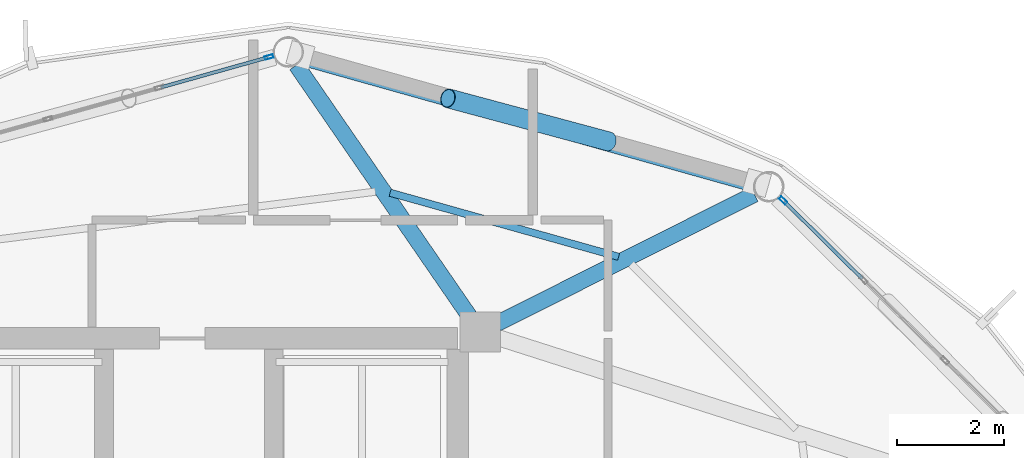
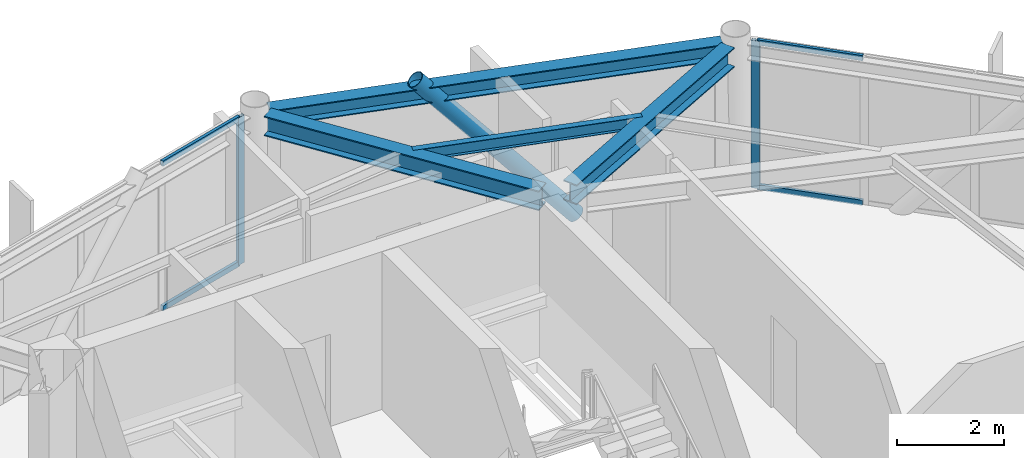
# One storey, part 17 of 24: 7 members, 4 beams, 2 elements without a shape of their own.
"""IFC4 building model written with IfcOpenShell, lengths in metres."""

from ifc_helpers import new_model, si_unit, direction, frame, origin, origin_2d, place, context, subcontext, project, spatial, hollow_rectangle, hollow_circle, i_section, extrude, material, layer, layer_set, material_profile, profile_set, type_object, element, aggregate, save


model = new_model("IFC4")

# Units and contexts
model_context = context("Model", 3, precision=1e-05, world=origin(), true_north=direction((0.0, 1.0)))
body_context = subcontext(model_context, "Body", "Model", "MODEL_VIEW")
ifc_project = project(units=[si_unit("LENGTHUNIT", "METRE"), si_unit("AREAUNIT", "SQUARE_METRE"), si_unit("VOLUMEUNIT", "CUBIC_METRE"), si_unit("PLANEANGLEUNIT", "RADIAN"), si_unit("MASSUNIT", "GRAM", prefix="KILO")], contexts=[model_context])

# Site, building, storey
site_placement = place(None, origin())
site = spatial("IfcSite", under=ifc_project, at=site_placement, CompositionType="ELEMENT")
building_placement = place(site_placement, origin())
building = spatial("IfcBuilding", under=site, at=building_placement, Name="Varnakorn Sky Granary", CompositionType="ELEMENT")
storey_placement = place(building_placement, frame((0.0, 0.0, 274.199951171875)))
storey = spatial("IfcBuildingStorey", under=building, at=storey_placement, Name="L70", CompositionType="ELEMENT", Elevation=274.199951171875)

# Beams
ifc_material_1 = material(Name="Steel S355JR", Category="steel")
ifc_material_profile_1 = material_profile(ifc_material_1, i_section(OverallWidth=0.300048828125, OverallDepth=0.449951171875, WebThickness=0.013916015625, FlangeThickness=0.02587890625, at=origin_2d()), Name="HE 450 B")
ifc_profile_set_1 = profile_set([ifc_material_profile_1], Name="Steel S355JR")
beam_type_1 = type_object("IfcBeamType", Name="BM-RAD-Z5", PredefinedType="BEAM", material=ifc_profile_set_1)
beam_1_placement = place(storey_placement, frame((8.7373046875, 12.779296875, 3.135009765625), z_axis=(0.893723912684, 0.448617395893, 0.0), x_axis=(-0.448617395893, 0.893723912684, 0.0)))
element("IfcBeam", 1, at=beam_1_placement, inside=storey, type_object=beam_type_1, Name="Radial Floor Girder RG03 L70", PredefinedType="BEAM", context=body_context, shape_type="SweptSolid", body=[
    extrude(i_section(OverallWidth=0.300048828125, OverallDepth=0.449951171875, WebThickness=0.013916015625, FlangeThickness=0.02587890625, at=origin_2d()), origin(), (0.0, 0.0, 1.0), 5.3544921875),
])
beam_2_placement = place(storey_placement, frame((8.218505859375, 12.912353515625, 3.135009765625), z_axis=(-0.567317558389, 0.823499112291, 0.0), x_axis=(-0.823499112291, -0.567317558389, 0.0)))
element("IfcBeam", 2, at=beam_2_placement, inside=storey, type_object=beam_type_1, Name="Radial Floor Girder RG04 L70", PredefinedType="BEAM", context=body_context, shape_type="SweptSolid", body=[
    extrude(i_section(OverallWidth=0.300048828125, OverallDepth=0.449951171875, WebThickness=0.013916015625, FlangeThickness=0.02587890625, at=origin_2d()), origin(), (0.0, 0.0, 1.0), 5.673095703125),
])
ifc_material_profile_2 = material_profile(ifc_material_1, i_section(OverallWidth=0.135009765625, OverallDepth=0.27001953125, WebThickness=0.006591796875, FlangeThickness=0.01025390625, at=origin_2d()), Name="IPE 270")
ifc_profile_set_2 = profile_set([ifc_material_profile_2], Name="Steel S355JR")
beam_type_2 = type_object("IfcBeamType", Name="BM-SEC-Z5", PredefinedType="BEAM", material=ifc_profile_set_2)
beam_3_placement = place(storey_placement, frame((10.9951171875, 14.018310546875, 3.22509765625), z_axis=(-0.962854245889, 0.270021667969, 0.0), x_axis=(-0.270021667969, -0.962854245889, 0.0)))
element("IfcBeam", 3, at=beam_3_placement, inside=storey, type_object=beam_type_2, Name="Secondary Floor Chord Beam MSB03 L70", PredefinedType="BEAM", context=body_context, shape_type="SweptSolid", body=[
    extrude(i_section(OverallWidth=0.135009765625, OverallDepth=0.27001953125, WebThickness=0.006591796875, FlangeThickness=0.01025390625, at=origin_2d()), origin(), (0.0, 0.0, 1.0), 4.4150390625),
])
ifc_material_profile_3 = material_profile(ifc_material_1, i_section(OverallWidth=0.300048828125, OverallDepth=0.360107421875, WebThickness=0.012451171875, FlangeThickness=0.0224609375, at=origin_2d()), Name="HE 360 B")
ifc_profile_set_3 = profile_set([ifc_material_profile_3], Name="Steel S355JR")
beam_type_3 = type_object("IfcBeamType", Name="BM-SPD-Z5", PredefinedType="SPANDREL", material=ifc_profile_set_3)
beam_4_placement = place(storey_placement, frame((13.50439453125, 15.37158203125, 3.179931640625), z_axis=(-0.962757982461, 0.270364692976, 0.0), x_axis=(-0.270364692976, -0.962757982461, 0.0)))
element("IfcBeam", 4, at=beam_4_placement, inside=storey, type_object=beam_type_3, Name="Perimeter Spandrel Ring Beam RB03 L70", PredefinedType="SPANDREL", context=body_context, shape_type="SweptSolid", body=[
    extrude(i_section(OverallWidth=0.300048828125, OverallDepth=0.360107421875, WebThickness=0.012451171875, FlangeThickness=0.0224609375, at=origin_2d()), origin(), (0.0, 0.0, 1.0), 8.724853515625),
])

# Curtain wall, member
ifc_material_2 = material(Name="Anodised Bronze Aluminium Alloy 6063-T6", Category="aluminium")
ifc_layer = layer(ifc_material_2, 0.159912109375, Name="Anodised Bronze Aluminium Alloy 6063-T6")
ifc_layer_set = layer_set([ifc_layer], Name="Anodised Bronze Aluminium Alloy 6063-T6")
curtain_wall_type = type_object("IfcCurtainWallType", Name="CW-OFF-1", PredefinedType="USERDEFINED", material=ifc_layer_set)
curtain_wall_1_placement = place(storey_placement, origin())
curtain_wall_1 = element("IfcCurtainWall", 5, at=curtain_wall_1_placement, inside=storey, type_object=curtain_wall_type, Name="Unitised Curtain Wall CW6 CW-L70-B02", ObjectType="CURTAIN WALL", PredefinedType="USERDEFINED")
ifc_material_profile_4 = material_profile(ifc_material_2, hollow_rectangle(XDim=0.06494140625, YDim=0.159912109375, WallThickness=0.00341796875, at=origin_2d()), Name="ALU MULL 65x160")
ifc_profile_set_4 = profile_set([ifc_material_profile_4], Name="Anodised Bronze Aluminium Alloy 6063-T6")
member_type_1 = type_object("IfcMemberType", Name="CW-OFF-1-MULL", PredefinedType="MULLION", material=ifc_profile_set_4)
member_1_placement = place(storey_placement, frame((14.057373046875, 15.06689453125, 0.0), z_axis=(0.0, 0.0, 1.0), x_axis=(0.703399020646, 0.710795200993, 0.0)))
member_1 = element("IfcMember", 6, at=member_1_placement, type_object=member_type_1, Name="CW6 mullion 1", PredefinedType="MULLION", context=body_context, shape_type="SweptSolid", body=[
    extrude(hollow_rectangle(XDim=0.06494140625, YDim=0.159912109375, WallThickness=0.00341796875, at=origin_2d()), origin(), (0.0, 0.0, 1.0), 3.360107421875),
])

curtain_wall_2_placement = place(storey_placement, origin())
curtain_wall_2 = element("IfcCurtainWall", 7, at=curtain_wall_2_placement, inside=storey, type_object=curtain_wall_type, Name="Unitised Curtain Wall CW6 CW-L70-B04", ObjectType="CURTAIN WALL", PredefinedType="USERDEFINED")
member_2_placement = place(storey_placement, frame((4.49169921875, 17.734619140625, 0.0), z_axis=(0.0, 0.0, 1.0), x_axis=(-0.269869481459, 0.962896911916, 0.0)))
member_2 = element("IfcMember", 8, at=member_2_placement, type_object=member_type_1, Name="CW6 mullion 5", PredefinedType="MULLION", context=body_context, shape_type="SweptSolid", body=[
    extrude(hollow_rectangle(XDim=0.06494140625, YDim=0.159912109375, WallThickness=0.00341796875, at=origin_2d()), origin(), (0.0, 0.0, 1.0), 3.360107421875),
])

# Member
ifc_material_profile_5 = material_profile(ifc_material_2, hollow_rectangle(XDim=0.06494140625, YDim=0.1201171875, WallThickness=0.00341796875, at=origin_2d()), Name="ALU TRAN 65x120")
ifc_profile_set_5 = profile_set([ifc_material_profile_5], Name="Anodised Bronze Aluminium Alloy 6063-T6")
member_type_2 = type_object("IfcMemberType", Name="CW-OFF-1-TRAN", PredefinedType="USERDEFINED", material=ifc_profile_set_5)
member_3_placement = place(storey_placement, frame((14.08056640625, 15.044189453125, 0.032470703125), z_axis=(0.710755442404, -0.703439195022, 0.0), x_axis=(0.703439195022, 0.710755442404, 0.0)))
member_3 = element("IfcMember", 9, at=member_3_placement, type_object=member_type_2, Name="CW6 transom 1.1", ObjectType="TRANSOM", PredefinedType="USERDEFINED", context=body_context, shape_type="SweptSolid", body=[
    extrude(hollow_rectangle(XDim=0.06494140625, YDim=0.1201171875, WallThickness=0.00341796875, at=origin_2d()), origin(), (0.0, 0.0, 1.0), 2.03564453125),
])

member_4_placement = place(storey_placement, frame((14.08056640625, 15.044189453125, 3.32763671875), z_axis=(0.710755442404, -0.703439195022, 0.0), x_axis=(0.703439195022, 0.710755442404, 0.0)))
member_4 = element("IfcMember", 10, at=member_4_placement, type_object=member_type_2, Name="CW6 transom 1.2", ObjectType="TRANSOM", PredefinedType="USERDEFINED", context=body_context, shape_type="SweptSolid", body=[
    extrude(hollow_rectangle(XDim=0.06494140625, YDim=0.1201171875, WallThickness=0.00341796875, at=origin_2d()), origin(), (0.0, 0.0, 1.0), 2.03564453125),
])

aggregate(curtain_wall_1, [member_1, member_3, member_4])

member_5_placement = place(storey_placement, frame((2.482177734375, 17.17138671875, 0.032470703125), z_axis=(0.962897345532, 0.269867934309, 0.0), x_axis=(-0.269867934309, 0.962897345532, 0.0)))
member_5 = element("IfcMember", 11, at=member_5_placement, type_object=member_type_2, Name="CW6 transom 4.1", ObjectType="TRANSOM", PredefinedType="USERDEFINED", context=body_context, shape_type="SweptSolid", body=[
    extrude(hollow_rectangle(XDim=0.06494140625, YDim=0.1201171875, WallThickness=0.00341796875, at=origin_2d()), origin(), (0.0, 0.0, 1.0), 2.054443359375),
])

member_6_placement = place(storey_placement, frame((2.482177734375, 17.17138671875, 3.32763671875), z_axis=(0.962897345532, 0.269867934309, 0.0), x_axis=(-0.269867934309, 0.962897345532, 0.0)))
member_6 = element("IfcMember", 12, at=member_6_placement, type_object=member_type_2, Name="CW6 transom 4.2", ObjectType="TRANSOM", PredefinedType="USERDEFINED", context=body_context, shape_type="SweptSolid", body=[
    extrude(hollow_rectangle(XDim=0.06494140625, YDim=0.1201171875, WallThickness=0.00341796875, at=origin_2d()), origin(), (0.0, 0.0, 1.0), 2.054443359375),
])

aggregate(curtain_wall_2, [member_2, member_5, member_6])

ifc_material_3 = material(Name="Steel S460M", Category="steel")
ifc_material_profile_6 = material_profile(ifc_material_3, hollow_circle(Radius=0.177734375, WallThickness=0.01416015625, at=origin_2d()), Name="CHS 355.6x14")
ifc_profile_set_6 = profile_set([ifc_material_profile_6], Name="Steel S460M")
member_type_3 = type_object("IfcMemberType", Name="MB-DIAG-T5", PredefinedType="BRACE", material=ifc_profile_set_6)
member_7_placement = place(storey_placement, frame((10.81201171875, 16.1640625, -0.1298828125), z_axis=(-0.628012860016, 0.168723696503, 0.759692149422), x_axis=(-0.259461995513, -0.965753318858, 0.0)))
element("IfcMember", 13, at=member_7_placement, inside=storey, type_object=member_type_3, Name="Perimeter CHS Diagrid Brace DG03 L70", PredefinedType="BRACE", context=body_context, shape_type="SweptSolid", body=[
    extrude(hollow_circle(Radius=0.177734375, WallThickness=0.01416015625, at=origin_2d()), origin(), (0.0, 0.0, 1.0), 4.764892578125),
])

save(model, "model.ifc")
